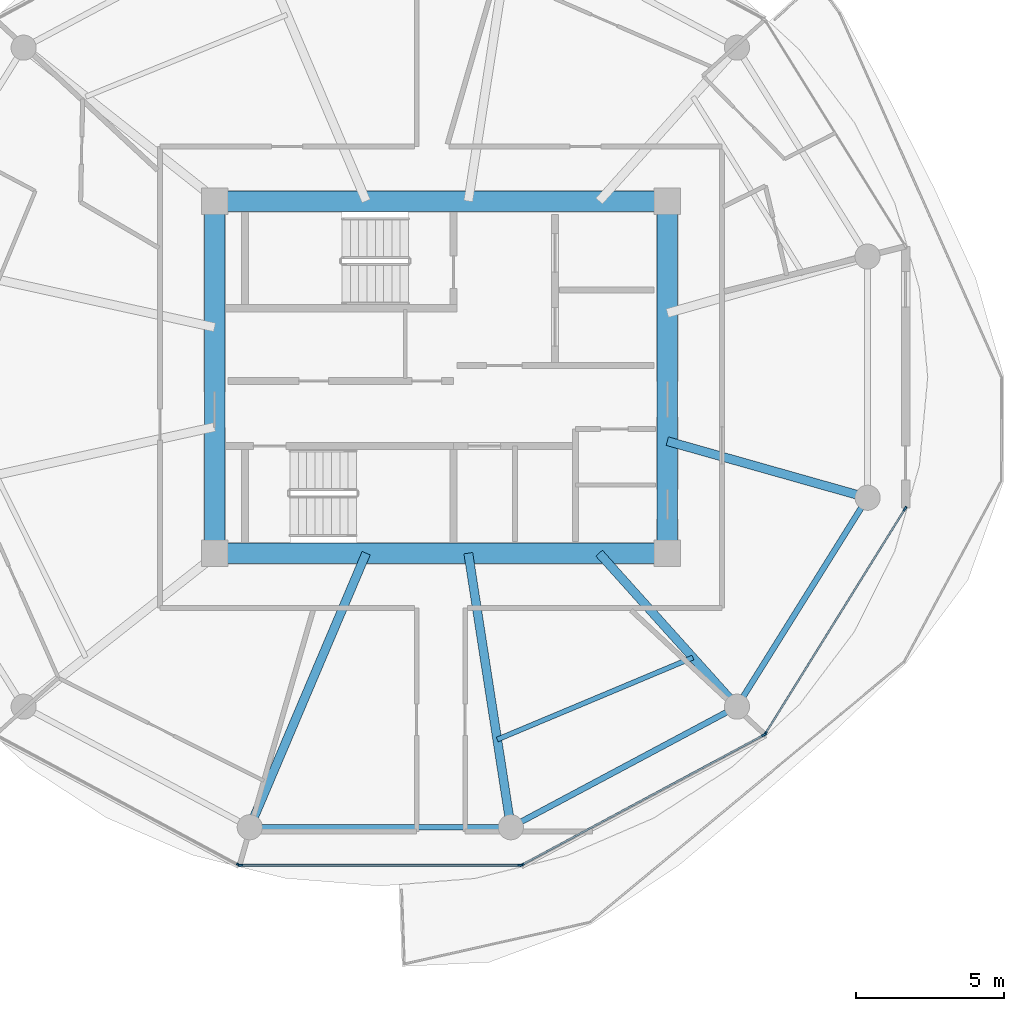
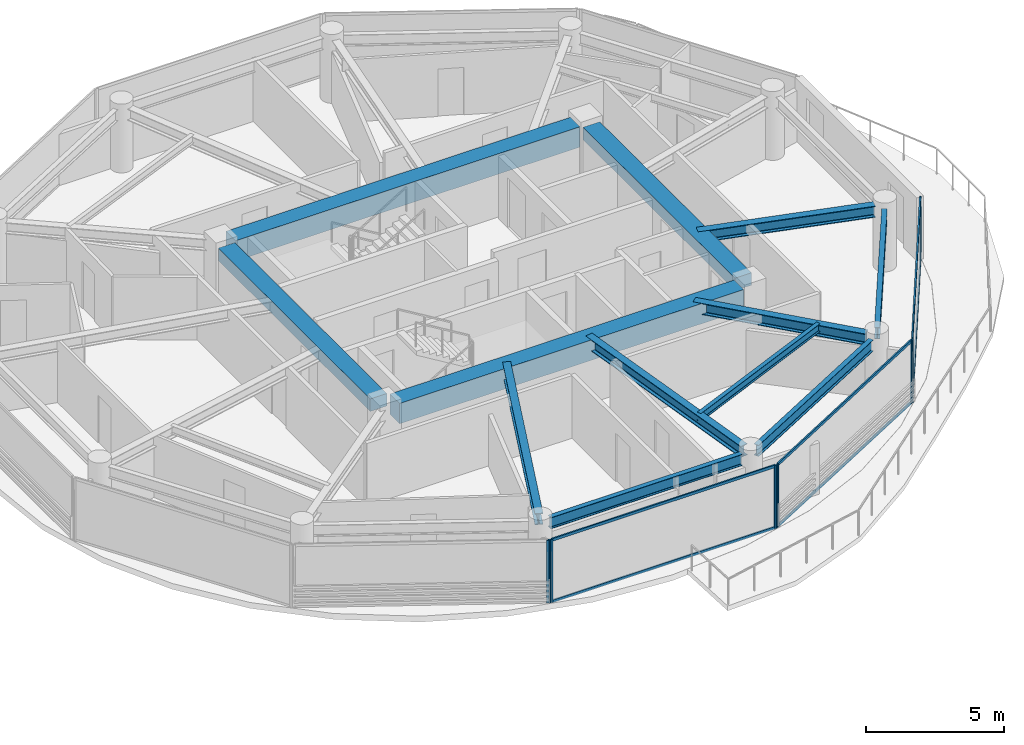
# One storey, part 10 of 22: 13 members, 12 beams, 4 elements without a shape of their own.
"""IFC4 building model written with IfcOpenShell, lengths in metres."""

from ifc_helpers import new_model, si_unit, direction, frame, origin, origin_2d, place, context, subcontext, project, spatial, rectangle, i_section, extrude, source, transform, mapped, material, layer, layer_set, material_profile, profile_set, type_object, type_shapes, element, aggregate, save


model = new_model("IFC4")

# Units and contexts
model_context = context("Model", 3, precision=1e-05, world=origin(), true_north=direction((0.0, 1.0)))
body_context = subcontext(model_context, "Body", "Model", "MODEL_VIEW")
ifc_project = project(units=[si_unit("LENGTHUNIT", "METRE"), si_unit("AREAUNIT", "SQUARE_METRE"), si_unit("VOLUMEUNIT", "CUBIC_METRE"), si_unit("PLANEANGLEUNIT", "RADIAN"), si_unit("MASSUNIT", "GRAM", prefix="KILO")], contexts=[model_context])

# Site, building, storey
site_placement = place(None, origin())
site = spatial("IfcSite", under=ifc_project, at=site_placement, CompositionType="ELEMENT")
building_placement = place(site_placement, origin())
building = spatial("IfcBuilding", under=site, at=building_placement, Name="Norrkilde Senior Care Towers", CompositionType="ELEMENT")
storey_placement = place(building_placement, frame((0.0, 0.0, 96.25)))
storey = spatial("IfcBuildingStorey", under=building, at=storey_placement, Name="L29", CompositionType="ELEMENT", Elevation=96.25)

# Beams
ifc_material_1 = material(Name="Concrete C60/75", Category="concrete")
ifc_material_profile_1 = material_profile(ifc_material_1, rectangle(XDim=0.699951171875, YDim=0.89990234375, at=origin_2d()), Name="RC BM 700x900")
ifc_profile_set_1 = profile_set([ifc_material_profile_1], Name="Concrete C60/75")
beam_type_1 = type_object("IfcBeamType", Name="Core Coupling Girder 700x900", PredefinedType="USERDEFINED", material=ifc_profile_set_1)
shared_shape_1 = source(origin(), body_context, "Body", "SweptSolid", [
    extrude(rectangle(XDim=0.699951171875, YDim=0.89990234375, at=origin_2d()), origin(), (0.0, 0.0, 1.0), 14.43994140625),
])
type_shapes(beam_type_1, [shared_shape_1])
for number, where, z_axis, x_axis, name in (
    (1, (20.780029296875, 5.949951171875, 2.340087890625), (1.0, 0.0, 0.0), (0.0, 1.0, 0.0), "L29 Core E N Coupling Girder"),
    (2, (20.780029296875, -5.949951171875, 2.340087890625), (1.0, 0.0, 0.0), (0.0, 1.0, 0.0), "L29 Core E S Coupling Girder"),
):
    element("IfcBeam", number, at=place(storey_placement, frame(where, z_axis=z_axis, x_axis=x_axis)), inside=storey, type_object=beam_type_1, Name=name, ObjectType="GIRDER", PredefinedType="USERDEFINED", context=body_context, shape_type="MappedRepresentation", body=[
        mapped(shared_shape_1, transform((0.0, 0.0, 0.0), x_axis=(1.0, 0.0, 0.0), y_axis=(0.0, 1.0, 0.0), z_axis=(0.0, 0.0, 1.0), scale=1.0)),
    ])
ifc_material_profile_2 = material_profile(ifc_material_1, rectangle(XDim=0.699951171875, YDim=0.550048828125, at=origin_2d()), Name="RC BM 700x550")
ifc_profile_set_2 = profile_set([ifc_material_profile_2], Name="Concrete C60/75")
beam_type_2 = type_object("IfcBeamType", Name="Core Portal Coupling Beam 700x550", PredefinedType="USERDEFINED", material=ifc_profile_set_2)
shared_shape_2 = source(origin(), body_context, "Body", "SweptSolid", [
    extrude(rectangle(XDim=0.699951171875, YDim=0.550048828125, at=origin_2d()), origin(), (0.0, 0.0, 1.0), 11.0400390625),
])
type_shapes(beam_type_2, [shared_shape_2])
for number, where, z_axis, x_axis, name in (
    (3, (20.35009765625, -5.52001953125, 2.514892578125), (0.0, 1.0, 0.0), (-1.0, 0.0, 0.0), "L29 Core E W Coupling Girder"),
    (4, (35.64990234375, -5.52001953125, 2.514892578125), (0.0, 1.0, 0.0), (-1.0, 0.0, 0.0), "L29 Core E E Coupling Girder"),
):
    element("IfcBeam", number, at=place(storey_placement, frame(where, z_axis=z_axis, x_axis=x_axis)), inside=storey, type_object=beam_type_2, Name=name, ObjectType="GIRDER", PredefinedType="USERDEFINED", context=body_context, shape_type="MappedRepresentation", body=[
        mapped(shared_shape_2, transform((0.0, 0.0, 0.0), x_axis=(1.0, 0.0, 0.0), y_axis=(0.0, 1.0, 0.0), z_axis=(0.0, 0.0, 1.0), scale=1.0)),
    ])
ifc_material_2 = material(Name="Steel S355", Category="steel")
ifc_material_profile_3 = material_profile(ifc_material_2, i_section(OverallWidth=0.199951171875, OverallDepth=0.5, WebThickness=0.01025390625, FlangeThickness=0.01611328125, FilletRadius=0.02099609375, at=origin_2d()), Name="IPE 500")
ifc_profile_set_3 = profile_set([ifc_material_profile_3], Name="Steel S355")
beam_type_3 = type_object("IfcBeamType", Name="Perimeter Ring Spandrel Z2 IPE500", PredefinedType="SPANDREL", material=ifc_profile_set_3)
shared_shape_3 = source(origin(), body_context, "Body", "SweptSolid", [
    extrude(i_section(OverallWidth=0.199951171875, OverallDepth=0.5, WebThickness=0.01025390625, FlangeThickness=0.01611328125, FilletRadius=0.02099609375, at=origin_2d()), origin(), (0.0, 0.0, 1.0), 7.892333984375),
])
beam_1_placement = place(storey_placement, frame((30.70263671875, -15.0322265625, 2.5400390625), z_axis=(0.882350372282, 0.47059305194, 0.0), x_axis=(-0.47059305194, 0.882350372282, 0.0)))
element("IfcBeam", 5, at=beam_1_placement, inside=storey, type_object=beam_type_3, Name="L29 Drum E Perimeter Spandrel 10", PredefinedType="SPANDREL", context=body_context, shape_type="MappedRepresentation", body=[
    mapped(shared_shape_3, transform((0.0, 0.0, 0.0), x_axis=(1.0, 0.0, 0.0), y_axis=(0.0, 1.0, 0.0), z_axis=(0.0, 0.0, 1.0), scale=1.0)),
])
shared_shape_4 = source(origin(), body_context, "Body", "SweptSolid", [
    extrude(i_section(OverallWidth=0.199951171875, OverallDepth=0.5, WebThickness=0.01025390625, FlangeThickness=0.01611328125, FilletRadius=0.02099609375, at=origin_2d()), origin(), (0.0, 0.0, 1.0), 8.0556640625),
])
beam_2_placement = place(storey_placement, frame((21.922119140625, -15.21337890625, 2.5400390625), z_axis=(1.0, 0.0, 0.0), x_axis=(0.0, 1.0, 0.0)))
element("IfcBeam", 6, at=beam_2_placement, inside=storey, type_object=beam_type_3, Name="L29 Drum E Perimeter Spandrel 09", PredefinedType="SPANDREL", context=body_context, shape_type="MappedRepresentation", body=[
    mapped(shared_shape_4, transform((0.0, 0.0, 0.0), x_axis=(1.0, 0.0, 0.0), y_axis=(0.0, 1.0, 0.0), z_axis=(0.0, 0.0, 1.0), scale=1.0)),
])
ifc_material_profile_4 = material_profile(ifc_material_2, i_section(OverallWidth=0.300048828125, OverallDepth=0.5, WebThickness=0.014404296875, FlangeThickness=0.028076171875, FilletRadius=0.027099609375, at=origin_2d()), Name="HEB 500")
ifc_profile_set_4 = profile_set([ifc_material_profile_4], Name="Steel S355")
beam_type_4 = type_object("IfcBeamType", Name="Radial Floor Beam Z2 HEB500", PredefinedType="BEAM", material=ifc_profile_set_4)
shared_shape_5 = source(origin(), body_context, "Body", "SweptSolid", [
    extrude(i_section(OverallWidth=0.300048828125, OverallDepth=0.5, WebThickness=0.014404296875, FlangeThickness=0.028076171875, FilletRadius=0.027099609375, at=origin_2d()), origin(), (0.0, 0.0, 1.0), 9.679443359375),
])
beam_3_placement = place(storey_placement, frame((25.472412109375, -5.949951171875, 2.5400390625), z_axis=(-0.390998033479, -0.920391513333, 0.0), x_axis=(0.920391513333, -0.390998033479, 0.0)))
element("IfcBeam", 7, at=beam_3_placement, inside=storey, type_object=beam_type_4, Name="L29 Drum E Radial Floor Beam 09", PredefinedType="BEAM", context=body_context, shape_type="MappedRepresentation", body=[
    mapped(shared_shape_5, transform((0.0, 0.0, 0.0), x_axis=(1.0, 0.0, 0.0), y_axis=(0.0, 1.0, 0.0), z_axis=(0.0, 0.0, 1.0), scale=1.0)),
])
shared_shape_6 = source(origin(), body_context, "Body", "SweptSolid", [
    extrude(i_section(OverallWidth=0.300048828125, OverallDepth=0.5, WebThickness=0.014404296875, FlangeThickness=0.028076171875, FilletRadius=0.027099609375, at=origin_2d()), origin(), (0.0, 0.0, 1.0), 8.989501953125),
])
beam_4_placement = place(storey_placement, frame((28.924072265625, -5.949951171875, 2.5400390625), z_axis=(0.153471298636, -0.988153105796, 0.0), x_axis=(0.988153105796, 0.153471298636, 0.0)))
element("IfcBeam", 8, at=beam_4_placement, inside=storey, type_object=beam_type_4, Name="L29 Drum E Radial Floor Beam 10", PredefinedType="BEAM", context=body_context, shape_type="MappedRepresentation", body=[
    mapped(shared_shape_6, transform((0.0, 0.0, 0.0), x_axis=(1.0, 0.0, 0.0), y_axis=(0.0, 1.0, 0.0), z_axis=(0.0, 0.0, 1.0), scale=1.0)),
])
shared_shape_7 = source(origin(), body_context, "Body", "SweptSolid", [
    extrude(i_section(OverallWidth=0.199951171875, OverallDepth=0.5, WebThickness=0.01025390625, FlangeThickness=0.01611328125, FilletRadius=0.02099609375, at=origin_2d()), origin(), (0.0, 0.0, 1.0), 7.556396484375),
])
type_shapes(beam_type_3, [shared_shape_3, shared_shape_4, shared_shape_7])
beam_5_placement = place(storey_placement, frame((38.210205078125, -10.810546875, 2.5400390625), z_axis=(0.530004748437, 0.847994673706, 0.0), x_axis=(-0.847994673706, 0.530004748437, 0.0)))
element("IfcBeam", 9, at=beam_5_placement, inside=storey, type_object=beam_type_3, Name="L29 Drum E Perimeter Spandrel 11", PredefinedType="SPANDREL", context=body_context, shape_type="MappedRepresentation", body=[
    mapped(shared_shape_7, transform((0.0, 0.0, 0.0), x_axis=(1.0, 0.0, 0.0), y_axis=(0.0, 1.0, 0.0), z_axis=(0.0, 0.0, 1.0), scale=1.0)),
])
shared_shape_8 = source(origin(), body_context, "Body", "SweptSolid", [
    extrude(i_section(OverallWidth=0.300048828125, OverallDepth=0.5, WebThickness=0.014404296875, FlangeThickness=0.028076171875, FilletRadius=0.027099609375, at=origin_2d()), origin(), (0.0, 0.0, 1.0), 6.587890625),
])
beam_6_placement = place(storey_placement, frame((33.345947265625, -5.949951171875, 2.5400390625), z_axis=(0.668315438605, -0.743877997068, 0.0), x_axis=(0.743877997068, 0.668315438605, 0.0)))
element("IfcBeam", 10, at=beam_6_placement, inside=storey, type_object=beam_type_4, Name="L29 Drum E Radial Floor Beam 11", PredefinedType="BEAM", context=body_context, shape_type="MappedRepresentation", body=[
    mapped(shared_shape_8, transform((0.0, 0.0, 0.0), x_axis=(1.0, 0.0, 0.0), y_axis=(0.0, 1.0, 0.0), z_axis=(0.0, 0.0, 1.0), scale=1.0)),
])
shared_shape_9 = source(origin(), body_context, "Body", "SweptSolid", [
    extrude(i_section(OverallWidth=0.300048828125, OverallDepth=0.5, WebThickness=0.014404296875, FlangeThickness=0.028076171875, FilletRadius=0.027099609375, at=origin_2d()), origin(), (0.0, 0.0, 1.0), 6.6494140625),
])
type_shapes(beam_type_4, [shared_shape_5, shared_shape_6, shared_shape_8, shared_shape_9])
beam_7_placement = place(storey_placement, frame((35.64990234375, -2.162841796875, 2.5400390625), z_axis=(0.962289138357, -0.27202870106, 0.0), x_axis=(0.27202870106, 0.962289138357, 0.0)))
element("IfcBeam", 11, at=beam_7_placement, inside=storey, type_object=beam_type_4, Name="L29 Drum E Radial Floor Beam 12", PredefinedType="BEAM", context=body_context, shape_type="MappedRepresentation", body=[
    mapped(shared_shape_9, transform((0.0, 0.0, 0.0), x_axis=(1.0, 0.0, 0.0), y_axis=(0.0, 1.0, 0.0), z_axis=(0.0, 0.0, 1.0), scale=1.0)),
])
ifc_material_profile_5 = material_profile(ifc_material_2, i_section(OverallWidth=0.169921875, OverallDepth=0.360107421875, WebThickness=0.008056640625, FlangeThickness=0.0126953125, FilletRadius=0.01806640625, at=origin_2d()), Name="IPE 360")
ifc_profile_set_5 = profile_set([ifc_material_profile_5], Name="Steel S355")
beam_type_5 = type_object("IfcBeamType", Name="Secondary Floor Joist IPE360", PredefinedType="JOIST", material=ifc_profile_set_5)
shared_shape_10 = source(origin(), body_context, "Body", "SweptSolid", [
    extrude(i_section(OverallWidth=0.169921875, OverallDepth=0.360107421875, WebThickness=0.008056640625, FlangeThickness=0.0126953125, FilletRadius=0.01806640625, at=origin_2d()), origin(), (0.0, 0.0, 1.0), 7.169921875),
])
type_shapes(beam_type_5, [shared_shape_10])
beam_8_placement = place(storey_placement, frame((29.902587890625, -12.2490234375, 2.610107421875), z_axis=(0.922240600393, 0.386616444279, 0.0), x_axis=(-0.386616444279, 0.922240600393, 0.0)))
element("IfcBeam", 12, at=beam_8_placement, inside=storey, type_object=beam_type_5, Name="L29 Drum E Secondary Floor Joist 4", PredefinedType="JOIST", context=body_context, shape_type="MappedRepresentation", body=[
    mapped(shared_shape_10, transform((0.0, 0.0, 0.0), x_axis=(1.0, 0.0, 0.0), y_axis=(0.0, 1.0, 0.0), z_axis=(0.0, 0.0, 1.0), scale=1.0)),
])

# Curtain wall, member
ifc_material_3 = material(Name="Triple Low-E Insulated Glazing", Category="glass")
ifc_layer = layer(ifc_material_3, 0.195068359375)
ifc_layer_set = layer_set([ifc_layer], Name="Triple Low-E Insulated Glazing")
curtain_wall_type = type_object("IfcCurtainWallType", Name="CW3 Zone 2 Assisted Living Curtain Wall", PredefinedType="NOTDEFINED", material=ifc_layer_set)
curtain_wall_1_placement = place(storey_placement, origin())
curtain_wall_1 = element("IfcCurtainWall", 13, at=curtain_wall_1_placement, inside=storey, type_object=curtain_wall_type, Name="L29 Drum E Curtain Wall 07", PredefinedType="NOTDEFINED")
ifc_material_4 = material(Name="Anodised Aluminium", Category="aluminium")
ifc_material_profile_6 = material_profile(ifc_material_4, rectangle(XDim=0.06494140625, YDim=0.159912109375, at=origin_2d()), Name="ALU MULL 65x160")
ifc_profile_set_6 = profile_set([ifc_material_profile_6], Name="Anodised Aluminium")
member_type_1 = type_object("IfcMemberType", Name="Curtain Wall Mullion Z1-Z2 65x160", PredefinedType="MULLION", material=ifc_profile_set_6)
shared_shape_11 = source(origin(), body_context, "Body", "SweptSolid", [
    extrude(rectangle(XDim=0.06494140625, YDim=0.159912109375, at=origin_2d()), origin(), (0.0, 0.0, 1.0), 2.7900390625),
])
type_shapes(member_type_1, [shared_shape_11])
member_1_placement = place(storey_placement, frame((21.164306640625, -16.482666015625, 0.0), z_axis=(0.0, 0.0, 1.0), x_axis=(-0.472769402511, -0.881186184668, 0.0)))
member_1 = element("IfcMember", 14, at=member_1_placement, type_object=member_type_1, Name="CW-3 mullion 1", PredefinedType="MULLION", context=body_context, shape_type="MappedRepresentation", body=[
    mapped(shared_shape_11, transform((0.0, 0.0, 0.0), x_axis=(1.0, 0.0, 0.0), y_axis=(0.0, 1.0, 0.0), z_axis=(0.0, 0.0, 1.0), scale=1.0)),
])
aggregate(curtain_wall_1, [member_1])

# Curtain wall, members
curtain_wall_2_placement = place(storey_placement, origin())
curtain_wall_2 = element("IfcCurtainWall", 15, at=curtain_wall_2_placement, inside=storey, type_object=curtain_wall_type, Name="L29 Drum E Curtain Wall 08", PredefinedType="NOTDEFINED")
member_2_placement = place(storey_placement, frame((30.674560546875, -16.498046875, 0.0), z_axis=(0.0, 0.0, 1.0), x_axis=(0.0, -1.0, 0.0)))
member_2 = element("IfcMember", 16, at=member_2_placement, type_object=member_type_1, Name="CW-3 mullion 1", PredefinedType="MULLION", context=body_context, shape_type="MappedRepresentation", body=[
    mapped(shared_shape_11, transform((0.0, 0.0, 0.0), x_axis=(1.0, 0.0, 0.0), y_axis=(0.0, 1.0, 0.0), z_axis=(0.0, 0.0, 1.0), scale=1.0)),
])
member_3_placement = place(storey_placement, frame((21.225341796875, -16.498046875, 0.0), z_axis=(0.0, 0.0, 1.0), x_axis=(0.0, -1.0, 0.0)))
member_3 = element("IfcMember", 17, at=member_3_placement, type_object=member_type_1, Name="CW-3 mullion 2", PredefinedType="MULLION", context=body_context, shape_type="MappedRepresentation", body=[
    mapped(shared_shape_11, transform((0.0, 0.0, 0.0), x_axis=(1.0, 0.0, 0.0), y_axis=(0.0, 1.0, 0.0), z_axis=(0.0, 0.0, 1.0), scale=1.0)),
])

curtain_wall_3_placement = place(storey_placement, origin())
curtain_wall_3 = element("IfcCurtainWall", 18, at=curtain_wall_3_placement, inside=storey, type_object=curtain_wall_type, Name="L29 Drum E Curtain Wall 09", PredefinedType="NOTDEFINED")
member_4_placement = place(storey_placement, frame((38.91796875, -12.0927734375, 0.0), z_axis=(0.0, 0.0, 1.0), x_axis=(0.472769402511, -0.881186184668, 0.0)))
member_4 = element("IfcMember", 19, at=member_4_placement, type_object=member_type_1, Name="CW-3 mullion 1", PredefinedType="MULLION", context=body_context, shape_type="MappedRepresentation", body=[
    mapped(shared_shape_11, transform((0.0, 0.0, 0.0), x_axis=(1.0, 0.0, 0.0), y_axis=(0.0, 1.0, 0.0), z_axis=(0.0, 0.0, 1.0), scale=1.0)),
])
member_5_placement = place(storey_placement, frame((30.73583984375, -16.482666015625, 0.0), z_axis=(0.0, 0.0, 1.0), x_axis=(0.472769402511, -0.881186184668, 0.0)))
member_5 = element("IfcMember", 20, at=member_5_placement, type_object=member_type_1, Name="CW-3 mullion 2", PredefinedType="MULLION", context=body_context, shape_type="MappedRepresentation", body=[
    mapped(shared_shape_11, transform((0.0, 0.0, 0.0), x_axis=(1.0, 0.0, 0.0), y_axis=(0.0, 1.0, 0.0), z_axis=(0.0, 0.0, 1.0), scale=1.0)),
])

curtain_wall_4_placement = place(storey_placement, origin())
curtain_wall_4 = element("IfcCurtainWall", 21, at=curtain_wall_4_placement, inside=storey, type_object=curtain_wall_type, Name="L29 Drum E Curtain Wall 10", PredefinedType="NOTDEFINED")
member_6_placement = place(storey_placement, frame((43.6865234375, -4.4482421875, 0.0), z_axis=(0.0, 0.0, 1.0), x_axis=(0.849410171862, -0.527733228002, 0.0)))
member_6 = element("IfcMember", 22, at=member_6_placement, type_object=member_type_1, Name="CW-3 mullion 1", PredefinedType="MULLION", context=body_context, shape_type="MappedRepresentation", body=[
    mapped(shared_shape_11, transform((0.0, 0.0, 0.0), x_axis=(1.0, 0.0, 0.0), y_axis=(0.0, 1.0, 0.0), z_axis=(0.0, 0.0, 1.0), scale=1.0)),
])
member_7_placement = place(storey_placement, frame((38.9638671875, -12.0498046875, 0.0), z_axis=(0.0, 0.0, 1.0), x_axis=(0.849410171862, -0.527733228002, 0.0)))
member_7 = element("IfcMember", 23, at=member_7_placement, type_object=member_type_1, Name="CW-3 mullion 2", PredefinedType="MULLION", context=body_context, shape_type="MappedRepresentation", body=[
    mapped(shared_shape_11, transform((0.0, 0.0, 0.0), x_axis=(1.0, 0.0, 0.0), y_axis=(0.0, 1.0, 0.0), z_axis=(0.0, 0.0, 1.0), scale=1.0)),
])
ifc_material_profile_7 = material_profile(ifc_material_4, rectangle(XDim=0.06005859375, YDim=0.1201171875, at=origin_2d()), Name="ALU TRAN 60x120")
ifc_profile_set_7 = profile_set([ifc_material_profile_7], Name="Anodised Aluminium")
member_type_2 = type_object("IfcMemberType", Name="Curtain Wall Transom Typical 60x120", PredefinedType="USERDEFINED", material=ifc_profile_set_7)
shared_shape_12 = source(origin(), body_context, "Body", "SweptSolid", [
    extrude(rectangle(XDim=0.06005859375, YDim=0.1201171875, at=origin_2d()), origin(), (0.0, 0.0, 1.0), 8.88427734375),
])
member_8_placement = place(storey_placement, frame((43.66943359375, -4.475830078125, 0.030029296875), z_axis=(-0.527729466743, -0.849412508697, 0.0), x_axis=(0.849412508697, -0.527729466743, 0.0)))
member_8 = element("IfcMember", 24, at=member_8_placement, type_object=member_type_2, Name="CW-3 transom 1.1", ObjectType="TRANSOM", PredefinedType="USERDEFINED", context=body_context, shape_type="MappedRepresentation", body=[
    mapped(shared_shape_12, transform((0.0, 0.0, 0.0), x_axis=(1.0, 0.0, 0.0), y_axis=(0.0, 1.0, 0.0), z_axis=(0.0, 0.0, 1.0), scale=1.0)),
])
member_9_placement = place(storey_placement, frame((43.66943359375, -4.475830078125, 2.760009765625), z_axis=(-0.527729466743, -0.849412508697, 0.0), x_axis=(0.849412508697, -0.527729466743, 0.0)))
member_9 = element("IfcMember", 25, at=member_9_placement, type_object=member_type_2, Name="CW-3 transom 1.2", ObjectType="TRANSOM", PredefinedType="USERDEFINED", context=body_context, shape_type="MappedRepresentation", body=[
    mapped(shared_shape_12, transform((0.0, 0.0, 0.0), x_axis=(1.0, 0.0, 0.0), y_axis=(0.0, 1.0, 0.0), z_axis=(0.0, 0.0, 1.0), scale=1.0)),
])
aggregate(curtain_wall_4, [member_6, member_7, member_8, member_9])

# Member
shared_shape_13 = source(origin(), body_context, "Body", "SweptSolid", [
    extrude(rectangle(XDim=0.06005859375, YDim=0.1201171875, at=origin_2d()), origin(), (0.0, 0.0, 1.0), 9.220458984375),
])
member_10_placement = place(storey_placement, frame((38.889404296875, -12.108154296875, 0.030029296875), z_axis=(-0.881188517866, -0.472765053681, 0.0), x_axis=(0.472765053681, -0.881188517866, 0.0)))
member_10 = element("IfcMember", 26, at=member_10_placement, type_object=member_type_2, Name="CW-3 transom 1.1", ObjectType="TRANSOM", PredefinedType="USERDEFINED", context=body_context, shape_type="MappedRepresentation", body=[
    mapped(shared_shape_13, transform((0.0, 0.0, 0.0), x_axis=(1.0, 0.0, 0.0), y_axis=(0.0, 1.0, 0.0), z_axis=(0.0, 0.0, 1.0), scale=1.0)),
])

member_11_placement = place(storey_placement, frame((38.889404296875, -12.108154296875, 2.760009765625), z_axis=(-0.881188517866, -0.472765053681, 0.0), x_axis=(0.472765053681, -0.881188517866, 0.0)))
member_11 = element("IfcMember", 27, at=member_11_placement, type_object=member_type_2, Name="CW-3 transom 1.2", ObjectType="TRANSOM", PredefinedType="USERDEFINED", context=body_context, shape_type="MappedRepresentation", body=[
    mapped(shared_shape_13, transform((0.0, 0.0, 0.0), x_axis=(1.0, 0.0, 0.0), y_axis=(0.0, 1.0, 0.0), z_axis=(0.0, 0.0, 1.0), scale=1.0)),
])

aggregate(curtain_wall_3, [member_4, member_5, member_10, member_11])

shared_shape_14 = source(origin(), body_context, "Body", "SweptSolid", [
    extrude(rectangle(XDim=0.06005859375, YDim=0.1201171875, at=origin_2d()), origin(), (0.0, 0.0, 1.0), 9.38427734375),
])
type_shapes(member_type_2, [shared_shape_12, shared_shape_13, shared_shape_14])
member_12_placement = place(storey_placement, frame((30.64208984375, -16.498046875, 0.030029296875), z_axis=(-1.0, 0.0, 0.0), x_axis=(0.0, -1.0, 0.0)))
member_12 = element("IfcMember", 28, at=member_12_placement, type_object=member_type_2, Name="CW-3 transom 1.1", ObjectType="TRANSOM", PredefinedType="USERDEFINED", context=body_context, shape_type="MappedRepresentation", body=[
    mapped(shared_shape_14, transform((0.0, 0.0, 0.0), x_axis=(1.0, 0.0, 0.0), y_axis=(0.0, 1.0, 0.0), z_axis=(0.0, 0.0, 1.0), scale=1.0)),
])

member_13_placement = place(storey_placement, frame((30.64208984375, -16.498046875, 2.760009765625), z_axis=(-1.0, 0.0, 0.0), x_axis=(0.0, -1.0, 0.0)))
member_13 = element("IfcMember", 29, at=member_13_placement, type_object=member_type_2, Name="CW-3 transom 1.2", ObjectType="TRANSOM", PredefinedType="USERDEFINED", context=body_context, shape_type="MappedRepresentation", body=[
    mapped(shared_shape_14, transform((0.0, 0.0, 0.0), x_axis=(1.0, 0.0, 0.0), y_axis=(0.0, 1.0, 0.0), z_axis=(0.0, 0.0, 1.0), scale=1.0)),
])

aggregate(curtain_wall_2, [member_2, member_3, member_12, member_13])

save(model, "model.ifc")
